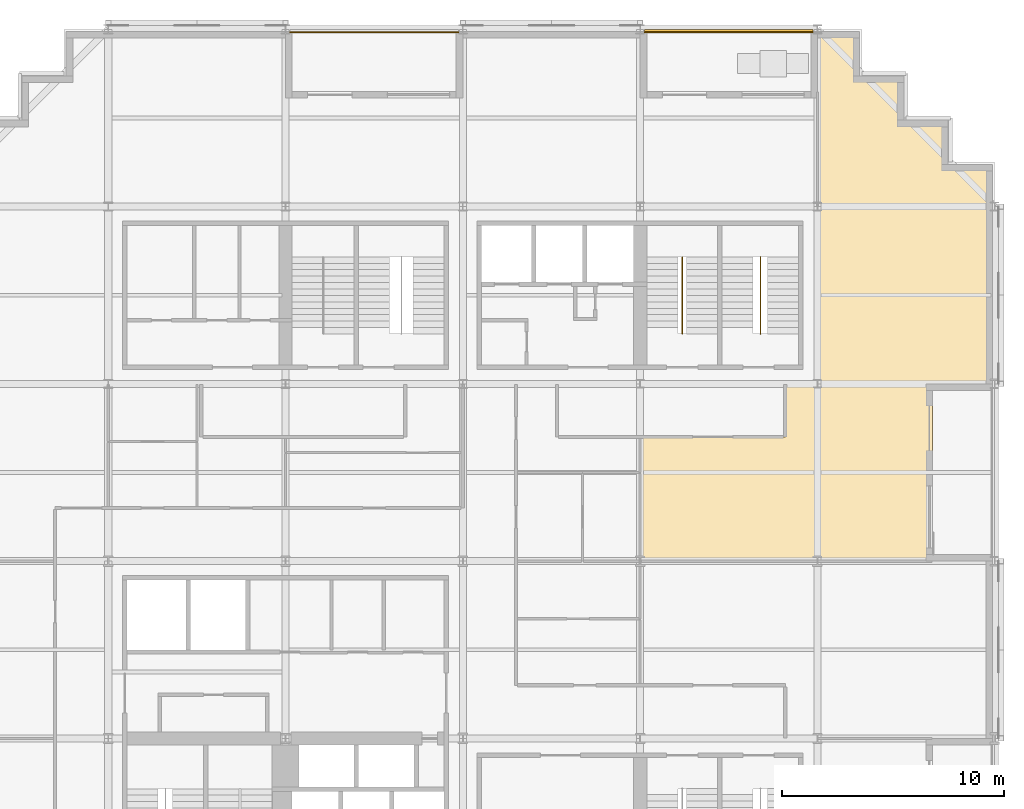
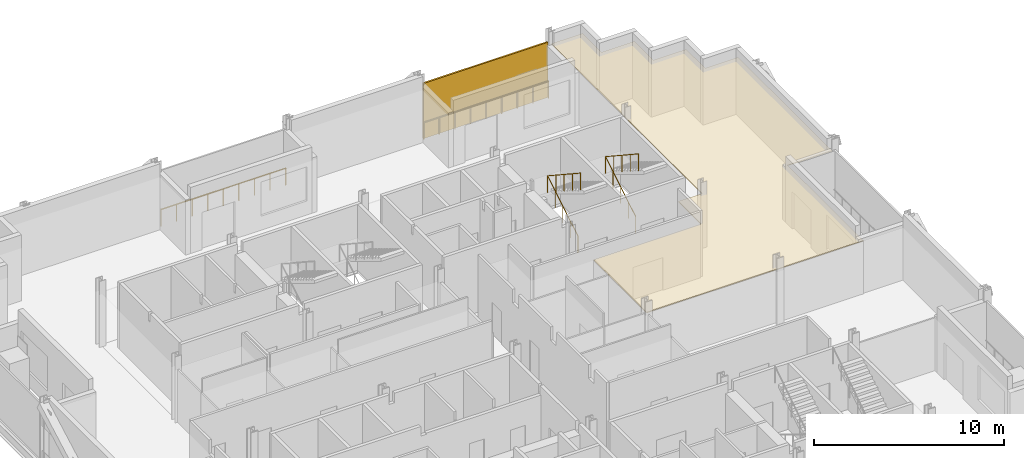
# One storey, part 12 of 13: 4 railings, 1 covering, 1 shading device.
"""IFC4 building model written with IfcOpenShell, lengths in metres."""

from ifc_helpers import new_model, si_unit, direction, frame, origin, origin_2d, place, context, subcontext, project, spatial, polyline, rectangle, circle, outline, extrude, material, layer, layer_set, type_object, element, save


model = new_model("IFC4")

# Units and contexts
model_context = context("Model", 3, precision=1e-05, world=origin(), true_north=direction((0.0, 1.0)))
body_context = subcontext(model_context, "Body", "Model", "MODEL_VIEW")
ifc_project = project(units=[si_unit("LENGTHUNIT", "METRE"), si_unit("AREAUNIT", "SQUARE_METRE"), si_unit("VOLUMEUNIT", "CUBIC_METRE"), si_unit("PLANEANGLEUNIT", "RADIAN"), si_unit("MASSUNIT", "GRAM", prefix="KILO")], contexts=[model_context])

# Site, building, storey
site_placement = place(None, origin())
site = spatial("IfcSite", under=ifc_project, at=site_placement, CompositionType="ELEMENT")
building_placement = place(site_placement, origin())
building = spatial("IfcBuilding", under=site, at=building_placement, Name="Immortelle Media Tower", CompositionType="ELEMENT")
storey_placement = place(building_placement, frame((0.0, 0.0, 34.800048828125)))
storey = spatial("IfcBuildingStorey", under=building, at=storey_placement, Name="L04", CompositionType="ELEMENT", Elevation=34.800048828125)

# Railings
ifc_material_1 = material(Name="Powder-coated aluminium fretwork panel, laminated glass backing", Category="aluminium")
railing_type_1 = type_object("IfcRailingType", Name="Fretwork balustrade 1100", PredefinedType="BALUSTRADE", material=ifc_material_1)
railing_1_placement = place(storey_placement, frame((39.800537109375, 47.860107421875, 0.0)))
element("IfcRailing", 1, at=railing_1_placement, inside=storey, type_object=railing_type_1, Name="Fretwork balustrade L04 N0", PredefinedType="BALUSTRADE", context=body_context, shape_type="SweptSolid", body=[
    extrude(circle(Radius=0.02490234375, at=origin_2d()), frame((0.0, 0.0, 1.0751953125), z_axis=(-1.0, 0.0, 0.0), x_axis=(0.0, -1.0, 0.0)), (0.0, 0.0, 1.0), 7.59765625),
    extrude(circle(Radius=0.02001953125, at=origin_2d()), origin(), (0.0, 0.0, 1.0), 1.050048828125),
    extrude(circle(Radius=0.02001953125, at=origin_2d()), frame((-0.94970703125, 0.0, 0.0)), (0.0, 0.0, 1.0), 1.050048828125),
    extrude(circle(Radius=0.02001953125, at=origin_2d()), frame((-1.8994140625, 0.0, 0.0)), (0.0, 0.0, 1.0), 1.050048828125),
    extrude(circle(Radius=0.02001953125, at=origin_2d()), frame((-2.84912109375, 0.0, 0.0)), (0.0, 0.0, 1.0), 1.050048828125),
    extrude(circle(Radius=0.02001953125, at=origin_2d()), frame((-3.798828125, 0.0, 0.0)), (0.0, 0.0, 1.0), 1.050048828125),
    extrude(circle(Radius=0.02001953125, at=origin_2d()), frame((-4.74853515625, 0.0, 0.0)), (0.0, 0.0, 1.0), 1.050048828125),
    extrude(circle(Radius=0.02001953125, at=origin_2d()), frame((-5.6982421875, 0.0, 0.0)), (0.0, 0.0, 1.0), 1.050048828125),
    extrude(circle(Radius=0.02001953125, at=origin_2d()), frame((-6.64794921875, 0.0, 0.0)), (0.0, 0.0, 1.0), 1.050048828125),
    extrude(circle(Radius=0.02001953125, at=origin_2d()), frame((-7.59765625, 0.0, 0.0)), (0.0, 0.0, 1.0), 1.050048828125),
])
railing_2_placement = place(storey_placement, frame((23.797119140625, 47.860107421875, 0.0)))
element("IfcRailing", 2, at=railing_2_placement, inside=storey, type_object=railing_type_1, Name="Fretwork balustrade L04 N2", PredefinedType="BALUSTRADE", context=body_context, shape_type="SweptSolid", body=[
    extrude(circle(Radius=0.02490234375, at=origin_2d()), frame((0.0, 0.0, 1.0751953125), z_axis=(-1.0, 0.0, 0.0), x_axis=(0.0, -1.0, 0.0)), (0.0, 0.0, 1.0), 7.591552734375),
    extrude(circle(Radius=0.02001953125, at=origin_2d()), origin(), (0.0, 0.0, 1.0), 1.050048828125),
    extrude(circle(Radius=0.02001953125, at=origin_2d()), frame((-0.948974609375, 0.0, 0.0)), (0.0, 0.0, 1.0), 1.050048828125),
    extrude(circle(Radius=0.02001953125, at=origin_2d()), frame((-1.89794921875, 0.0, 0.0)), (0.0, 0.0, 1.0), 1.050048828125),
    extrude(circle(Radius=0.02001953125, at=origin_2d()), frame((-2.846923828125, 0.0, 0.0)), (0.0, 0.0, 1.0), 1.050048828125),
    extrude(circle(Radius=0.02001953125, at=origin_2d()), frame((-3.7958984375, 0.0, 0.0)), (0.0, 0.0, 1.0), 1.050048828125),
    extrude(circle(Radius=0.02001953125, at=origin_2d()), frame((-4.74462890625, 0.0, 0.0)), (0.0, 0.0, 1.0), 1.050048828125),
    extrude(circle(Radius=0.02001953125, at=origin_2d()), frame((-5.693603515625, 0.0, 0.0)), (0.0, 0.0, 1.0), 1.050048828125),
    extrude(circle(Radius=0.02001953125, at=origin_2d()), frame((-6.642578125, 0.0, 0.0)), (0.0, 0.0, 1.0), 1.050048828125),
    extrude(circle(Radius=0.02001953125, at=origin_2d()), frame((-7.591552734375, 0.0, 0.0)), (0.0, 0.0, 1.0), 1.050048828125),
])

# Shading device
ifc_material_2 = material(Name="Pale aluminium louvre blades", Category="aluminium")
ifc_layer_1 = layer(ifc_material_2, 0.10009765625)
ifc_layer_set_1 = layer_set([ifc_layer_1], Name="Pale aluminium louvre blades")
shading_device_type = type_object("IfcShadingDeviceType", Name="Jalousie screen 100", PredefinedType="JALOUSIE", material=ifc_layer_set_1)
shading_device_placement = place(storey_placement, frame((36.001708984375, 47.949951171875, 0.0), z_axis=(0.0, 0.0, 1.0), x_axis=(-1.0, 0.0, 0.0)))
element("IfcShadingDevice", 3, at=shading_device_placement, inside=storey, type_object=shading_device_type, Name="Jalousie screen L04 N0", PredefinedType="JALOUSIE", context=body_context, shape_type="SweptSolid", body=[
    extrude(rectangle(XDim=7.597412109375, YDim=0.10009765625, at=origin_2d()), origin(), (0.0, 0.0, 1.0), 3.553955078125),
])

# Railings
ifc_material_3 = material(Name="Stainless steel AISI 316", Category="steel")
railing_type_2 = type_object("IfcRailingType", Name="Stair guard 1100", PredefinedType="GUARDRAIL", material=ifc_material_3)
for number, where, name in (
    (4, (33.89990234375, 34.5400390625, 0.176025390625), "Stair guard NE1"),
    (5, (37.425048828125, 34.5400390625, 0.176025390625), "Stair guard NE2"),
):
    element("IfcRailing", number, at=place(storey_placement, frame(where)), inside=storey, type_object=railing_type_2, Name=name, PredefinedType="GUARDRAIL", context=body_context, shape_type="SweptSolid", body=[
        extrude(circle(Radius=0.02392578125, at=origin_2d()), frame((0.0, 0.0, 1.076171875), z_axis=(0.0, 0.854872504309, 0.518838126371), x_axis=(-1.0, 0.0, 0.0)), (0.0, 0.0, 1.0), 3.7314453125),
        extrude(circle(Radius=0.02392578125, at=origin_2d()), frame((0.0, 3.18994140625, 3.01220703125), z_axis=(0.0, -0.835595538677, 0.549345151743), x_axis=(1.0, 0.0, 0.0)), (0.0, 0.0, 1.0), 4.16455078125),
        extrude(circle(Radius=0.02099609375, at=origin_2d()), origin(), (0.0, 0.0, 1.0), 1.052001953125),
        extrude(circle(Radius=0.02099609375, at=origin_2d()), frame((0.0, 0.79736328125, 0.48388671875)), (0.0, 0.0, 1.0), 1.052001953125),
        extrude(circle(Radius=0.02099609375, at=origin_2d()), frame((0.0, 1.594970703125, 0.968017578125)), (0.0, 0.0, 1.0), 1.052001953125),
        extrude(circle(Radius=0.02099609375, at=origin_2d()), frame((0.0, 2.392578125, 1.4521484375)), (0.0, 0.0, 1.0), 1.052001953125),
        extrude(circle(Radius=0.02099609375, at=origin_2d()), frame((0.0, 3.18994140625, 1.93603515625)), (0.0, 0.0, 1.0), 1.052001953125),
        extrude(circle(Radius=0.02099609375, at=origin_2d()), frame((0.0, 2.31982421875, 2.508056640625)), (0.0, 0.0, 1.0), 1.052001953125),
        extrude(circle(Radius=0.02099609375, at=origin_2d()), frame((0.0, 1.449951171875, 3.080078125)), (0.0, 0.0, 1.0), 1.052001953125),
        extrude(circle(Radius=0.02099609375, at=origin_2d()), frame((0.0, 0.580078125, 3.65185546875)), (0.0, 0.0, 1.0), 1.052001953125),
        extrude(circle(Radius=0.02099609375, at=origin_2d()), frame((0.0, -0.2900390625, 4.223876953125)), (0.0, 0.0, 1.0), 1.052001953125),
    ])

# Covering
ifc_material_4 = material(Name="Mineral fibre tile ceiling")
ifc_layer_2 = layer(ifc_material_4, 0.050048828125)
ifc_layer_set_2 = layer_set([ifc_layer_2], Name="Mineral fibre tile ceiling")
covering_type = type_object("IfcCoveringType", Name="Suspended ceiling 50", PredefinedType="CEILING", material=ifc_layer_set_2)
covering_placement = place(storey_placement, frame((0.0, 0.0, 3.341064453125)))
element("IfcCovering", 6, at=covering_placement, inside=storey, type_object=covering_type, Name="Ceiling L04-021", PredefinedType="CEILING", context=body_context, shape_type="SweptSolid", body=[
    extrude(outline(polyline([(38.550048828125, 32.0), (40.0, 32.0), (40.0, 40.0), (40.0, 45.199951171875), (40.0, 47.89990234375), (41.89990234375, 47.89990234375), (41.89990234375, 45.89990234375), (43.89990234375, 45.89990234375), (43.89990234375, 43.89990234375), (45.89990234375, 43.89990234375), (45.89990234375, 41.89990234375), (47.89990234375, 41.89990234375), (47.89990234375, 40.0), (47.89990234375, 32.0), (45.199951171875, 32.0), (45.199951171875, 24.0), (40.0, 24.0), (32.0, 24.0), (32.0, 29.60009765625), (38.550048828125, 29.60009765625), (38.550048828125, 32.0)])), origin(), (0.0, 0.0, 1.0), 0.0498046875),
])

save(model, "model.ifc")
